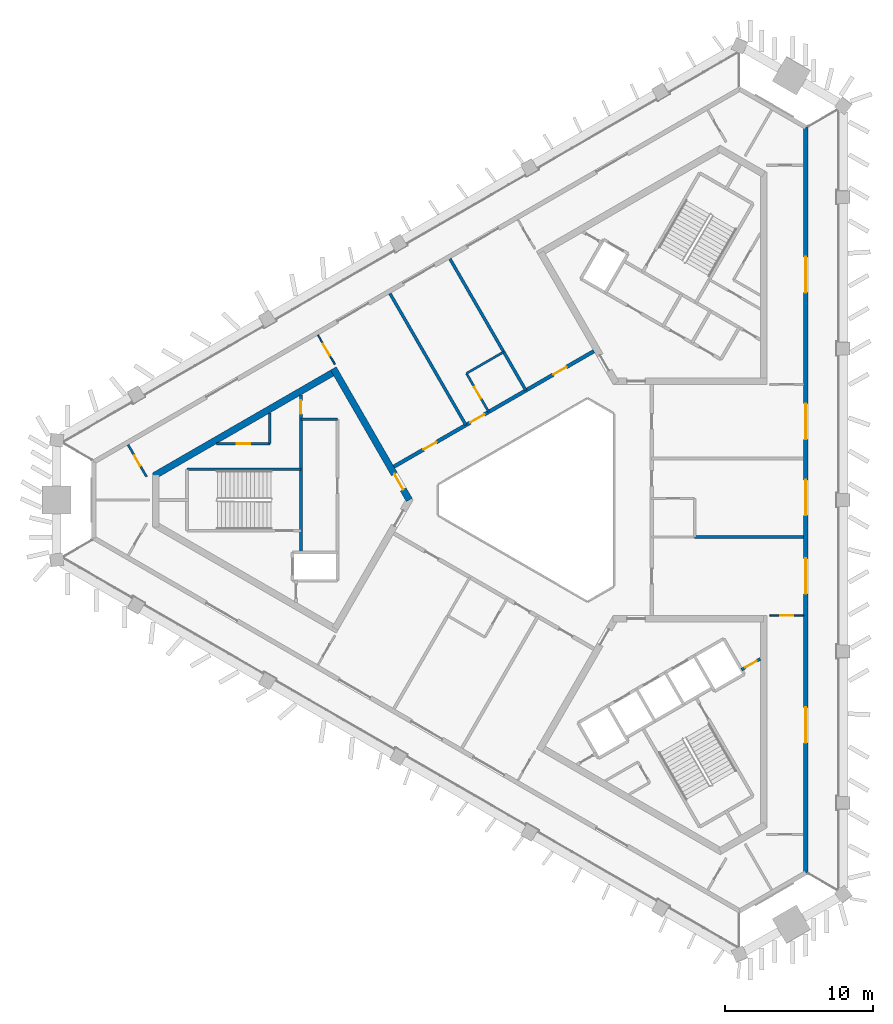
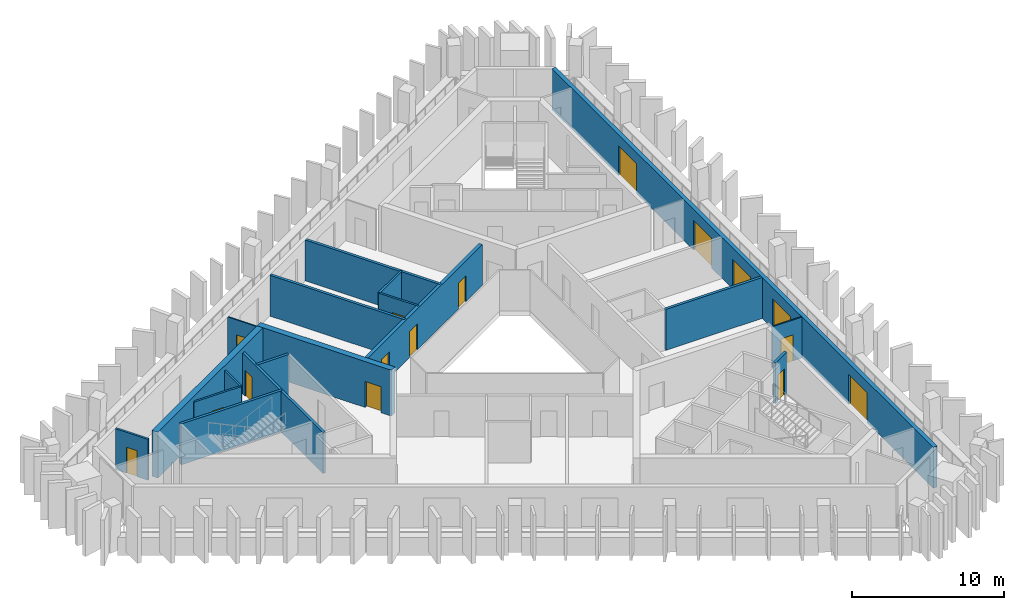
# One storey, part 4 of 9: 18 walls, 16 doors, 16 openings.
"""IFC4 building model written with IfcOpenShell, lengths in metres."""

from ifc_helpers import new_model, si_unit, direction, frame, frame_2d, origin, place, context, subcontext, project, spatial, rectangle, extrude, material, layer, layer_set, type_object, element, fill, save


model = new_model("IFC4")

# Units and contexts
model_context = context("Model", 3, precision=1e-05, world=origin(), true_north=direction((0.0, 1.0)))
body_context = subcontext(model_context, "Body", "Model", "MODEL_VIEW")
ifc_project = project(units=[si_unit("LENGTHUNIT", "METRE"), si_unit("AREAUNIT", "SQUARE_METRE"), si_unit("VOLUMEUNIT", "CUBIC_METRE"), si_unit("PLANEANGLEUNIT", "RADIAN"), si_unit("MASSUNIT", "GRAM", prefix="KILO")], contexts=[model_context])

# Site, building, storey
site_placement = place(None, origin())
site = spatial("IfcSite", under=ifc_project, at=site_placement, CompositionType="ELEMENT")
building_placement = place(site_placement, origin())
building = spatial("IfcBuilding", under=site, at=building_placement, Name="Jabali Bay Hotel Tower and Convention Centre", CompositionType="ELEMENT")
storey_placement = place(building_placement, frame((0.0, 0.0, 228.0)))
storey = spatial("IfcBuildingStorey", under=building, at=storey_placement, Name="L56", CompositionType="ELEMENT", Elevation=228.0)

# Wall, opening, door
ifc_material_1 = material(Name="Concrete C40", Category="concrete")
ifc_layer_1 = layer(ifc_material_1, 0.199951171875)
ifc_layer_set_1 = layer_set([ifc_layer_1], Name="Concrete C40")
wall_type_1 = type_object("IfcWallType", Name="Core partition wall 200", PredefinedType="PARTITIONING", material=ifc_layer_set_1)
wall_1_placement = place(storey_placement, frame((88.164794921875, 68.548095703125, 0.0), z_axis=(0.0, 0.0, 1.0), x_axis=(0.866013036001, 0.500021421018, 0.0)))
wall_1 = element("IfcWall", 1, at=wall_1_placement, inside=storey, type_object=wall_type_1, Name="Core wall 2.12 L56", PredefinedType="PARTITIONING", context=body_context, shape_type="SweptSolid", body=[
    extrude(rectangle(XDim=1.4609375, YDim=0.199951171875, at=frame_2d((0.73046875, 0.0))), origin(), (0.0, 0.0, 1.0), 3.300048828125),
])
opening_1_placement = place(wall_1_placement, frame((0.280517578125, 0.0, 0.0)))
opening_1 = element("IfcOpeningElement", 2, at=opening_1_placement, cuts=wall_1, Name="Opening D1229", PredefinedType="OPENING", context=body_context, shape_type="SweptSolid", body=[
    extrude(rectangle(XDim=0.89990234375, YDim=2.10009765625, at=frame_2d((0.449951171875, 1.050048828125))), frame((0.0, 0.1103515625, 0.0), z_axis=(0.0, -1.0, 0.0), x_axis=(1.0, 0.0, 0.0)), (0.0, 0.0, 1.0), 0.220947265625),
])
ifc_material_2 = material(Name="Fire-rated steel door", Category="steel")
door_type_1 = type_object("IfcDoorType", Name="Vestibule fire door 900 x 2100", OperationType="NOTDEFINED", PredefinedType="NOTDEFINED", material=ifc_material_2)
door_1_placement = place(opening_1_placement, origin())
door_1 = element("IfcDoor", 3, at=door_1_placement, inside=storey, type_object=door_type_1, Name="Vestibule fire door D1229", OperationType="SINGLE_SWING_LEFT", OverallHeight=2.10009765625, OverallWidth=0.89990234375, PredefinedType="NOTDEFINED", context=body_context, shape_type="SweptSolid", body=[
    extrude(rectangle(XDim=0.89990234375, YDim=2.10009765625, at=frame_2d((0.449951171875, 1.050048828125))), frame((0.0, 0.02490234375, 0.0), z_axis=(0.0, -1.0, 0.0), x_axis=(1.0, 0.0, 0.0)), (0.0, 0.0, 1.0), 0.050048828125),
])
fill(opening_1, door_1)

ifc_material_3 = material(Name="Fire-rated board partition")
ifc_layer_2 = layer(ifc_material_3, 0.14990234375)
ifc_layer_set_2 = layer_set([ifc_layer_2], Name="Fire-rated board partition")
wall_type_2 = type_object("IfcWallType", Name="Core room partition 150", PredefinedType="PARTITIONING", material=ifc_layer_set_2)
wall_2_placement = place(storey_placement, frame((56.320068359375, 83.800048828125, 0.0), z_axis=(0.0, 0.0, 1.0), x_axis=(-1.0, 0.0, 0.0)))
wall_2 = element("IfcWall", 4, at=wall_2_placement, inside=storey, type_object=wall_type_2, Name="Core wall 0.1 L56", PredefinedType="PARTITIONING", context=body_context, shape_type="SweptSolid", body=[
    extrude(rectangle(XDim=3.598388671875, YDim=0.14990234375, at=frame_2d((1.79931640625, 0.0))), origin(), (0.0, 0.0, 1.0), 3.300048828125),
])
opening_2_placement = place(wall_2_placement, frame((1.321533203125, 0.0, 0.0)))
opening_2 = element("IfcOpeningElement", 5, at=opening_2_placement, cuts=wall_2, Name="Opening D1216", PredefinedType="OPENING", context=body_context, shape_type="SweptSolid", body=[
    extrude(rectangle(XDim=0.89990234375, YDim=2.10009765625, at=frame_2d((0.449951171875, 1.050048828125))), frame((0.0, 0.08544921875, 0.0), z_axis=(0.0, -1.0, 0.0), x_axis=(1.0, 0.0, 0.0)), (0.0, 0.0, 1.0), 0.1708984375),
])
door_type_2 = type_object("IfcDoorType", Name="Core room door 900 x 2100", OperationType="NOTDEFINED", PredefinedType="NOTDEFINED", material=ifc_material_2)
door_2_placement = place(opening_2_placement, origin())
door_2 = element("IfcDoor", 6, at=door_2_placement, inside=storey, type_object=door_type_2, Name="Core room door D1216", OperationType="SINGLE_SWING_LEFT", OverallHeight=2.10009765625, OverallWidth=0.89990234375, PredefinedType="NOTDEFINED", context=body_context, shape_type="SweptSolid", body=[
    extrude(rectangle(XDim=0.89990234375, YDim=2.10009765625, at=frame_2d((0.449951171875, 1.050048828125))), frame((0.0, 0.02490234375, 0.0), z_axis=(0.0, -1.0, 0.0), x_axis=(1.0, 0.0, 0.0)), (0.0, 0.0, 1.0), 0.050048828125),
])
fill(opening_2, door_2)

# Walls
wall_3_placement = place(storey_placement, frame((56.320068359375, 85.87744140625, 0.0), z_axis=(0.0, 0.0, 1.0), x_axis=(0.0, -1.0, 0.0)))
element("IfcWall", 7, at=wall_3_placement, inside=storey, type_object=wall_type_2, Name="Core wall 0.11 L56", PredefinedType="PARTITIONING", context=body_context, shape_type="SweptSolid", body=[
    extrude(rectangle(XDim=2.077392578125, YDim=0.14990234375, at=frame_2d((1.03857421875, 0.0))), origin(), (0.0, 0.0, 1.0), 3.300048828125),
])
ifc_layer_3 = layer(ifc_material_1, 0.199951171875)
ifc_layer_set_3 = layer_set([ifc_layer_3], Name="Concrete C40")
wall_type_3 = type_object("IfcWallType", Name="Core stair wall 200", PredefinedType="SOLIDWALL", material=ifc_layer_set_3)
wall_4_placement = place(storey_placement, frame((60.89990234375, 85.449951171875, 0.0), z_axis=(0.0, 0.0, 1.0), x_axis=(-1.0, 0.0, 0.0)))
element("IfcWall", 8, at=wall_4_placement, inside=storey, type_object=wall_type_3, Name="Core wall 0.0 L56", PredefinedType="SOLIDWALL", context=body_context, shape_type="SweptSolid", body=[
    extrude(rectangle(XDim=2.47998046875, YDim=0.199951171875, at=frame_2d((1.239990234375, 0.0))), origin(), (0.0, 0.0, 1.0), 3.300048828125),
])
wall_5_placement = place(storey_placement, frame((58.419921875, 82.074951171875, 0.0), z_axis=(0.0, 0.0, 1.0), x_axis=(-1.0, 0.0, 0.0)))
element("IfcWall", 9, at=wall_5_placement, inside=storey, type_object=wall_type_3, Name="Core wall 0.2 L56", PredefinedType="SOLIDWALL", context=body_context, shape_type="SweptSolid", body=[
    extrude(rectangle(XDim=7.699951171875, YDim=0.199951171875, at=frame_2d((3.85009765625, 0.0))), origin(), (0.0, 0.0, 1.0), 3.300048828125),
])

# Wall, opening, door
wall_6_placement = place(storey_placement, frame((58.419921875, 87.08984375, 0.0), z_axis=(0.0, 0.0, 1.0), x_axis=(0.0, -1.0, 0.0)))
wall_6 = element("IfcWall", 10, at=wall_6_placement, inside=storey, type_object=wall_type_3, Name="Core wall 0.8 L56", PredefinedType="SOLIDWALL", context=body_context, shape_type="SweptSolid", body=[
    extrude(rectangle(XDim=10.639892578125, YDim=0.199951171875, at=frame_2d((5.31982421875, 0.0))), origin(), (0.0, 0.0, 1.0), 3.300048828125),
])
opening_3_placement = place(wall_6_placement, frame((0.369873046875, 0.0, 0.0)))
opening_3 = element("IfcOpeningElement", 11, at=opening_3_placement, cuts=wall_6, Name="Opening D1214", PredefinedType="OPENING", context=body_context, shape_type="SweptSolid", body=[
    extrude(rectangle(XDim=0.89990234375, YDim=2.10009765625, at=frame_2d((0.449951171875, 1.050048828125))), frame((0.0, 0.1103515625, 0.0), z_axis=(0.0, -1.0, 0.0), x_axis=(1.0, 0.0, 0.0)), (0.0, 0.0, 1.0), 0.220947265625),
])
door_3_placement = place(opening_3_placement, origin())
door_3 = element("IfcDoor", 12, at=door_3_placement, inside=storey, type_object=door_type_1, Name="Vestibule fire door D1214", OperationType="SINGLE_SWING_LEFT", OverallHeight=2.10009765625, OverallWidth=0.89990234375, PredefinedType="NOTDEFINED", context=body_context, shape_type="SweptSolid", body=[
    extrude(rectangle(XDim=0.89990234375, YDim=2.10009765625, at=frame_2d((0.449951171875, 1.050048828125))), frame((0.0, 0.02490234375, 0.0), z_axis=(0.0, -1.0, 0.0), x_axis=(1.0, 0.0, 0.0)), (0.0, 0.0, 1.0), 0.050048828125),
])
fill(opening_3, door_3)

ifc_material_4 = material(Name="Concrete C60", Category="concrete")
ifc_layer_4 = layer(ifc_material_4, 0.449951171875)
ifc_layer_set_4 = layer_set([ifc_layer_4], Name="Concrete C60")
wall_type_4 = type_object("IfcWallType", Name="Core wall 450", PredefinedType="SHEAR", material=ifc_layer_set_4)
wall_7_placement = place(storey_placement, frame((65.740234375, 80.0, 0.0), z_axis=(0.0, 0.0, 1.0), x_axis=(-0.499991857942, 0.866030104553, 0.0)))
wall_7 = element("IfcWall", 13, at=wall_7_placement, inside=storey, type_object=wall_type_4, Name="Core wall 1.1 L56", PredefinedType="SHEAR", context=body_context, shape_type="SweptSolid", body=[
    extrude(rectangle(XDim=10.250244140625, YDim=0.449951171875, at=frame_2d((5.125, 0.0))), origin(), (0.0, 0.0, 1.0), 3.699951171875),
])
opening_4_placement = place(wall_7_placement, frame((0.820068359375, 0.0, 0.0)))
opening_4 = element("IfcOpeningElement", 14, at=opening_4_placement, cuts=wall_7, Name="Opening D1210", PredefinedType="OPENING", context=body_context, shape_type="SweptSolid", body=[
    extrude(rectangle(XDim=1.199951171875, YDim=2.10009765625, at=frame_2d((0.60009765625, 1.050048828125))), frame((0.0, 0.2353515625, 0.0), z_axis=(0.0, -1.0, 0.0), x_axis=(1.0, 0.0, 0.0)), (0.0, 0.0, 1.0), 0.470947265625),
])
door_type_3 = type_object("IfcDoorType", Name="Corridor end fire door 1200 x 2100", OperationType="NOTDEFINED", PredefinedType="NOTDEFINED", material=ifc_material_2)
door_4_placement = place(opening_4_placement, origin())
door_4 = element("IfcDoor", 15, at=door_4_placement, inside=storey, type_object=door_type_3, Name="Corridor end fire door D1210", OperationType="SINGLE_SWING_RIGHT", OverallHeight=2.10009765625, OverallWidth=1.199951171875, PredefinedType="NOTDEFINED", context=body_context, shape_type="SweptSolid", body=[
    extrude(rectangle(XDim=1.199951171875, YDim=2.10009765625, at=frame_2d((0.60009765625, 1.050048828125))), frame((0.0, 0.02490234375, 0.0), z_axis=(0.0, -1.0, 0.0), x_axis=(1.0, 0.0, 0.0)), (0.0, 0.0, 1.0), 0.050048828125),
])
fill(opening_4, door_4)

# Wall
wall_8_placement = place(storey_placement, frame((60.7275390625, 88.681884765625, 0.0), z_axis=(0.0, 0.0, 1.0), x_axis=(-0.866021613849, -0.500006564303, 0.0)))
element("IfcWall", 16, at=wall_8_placement, inside=storey, type_object=wall_type_4, Name="Core wall 1.2 L56", PredefinedType="SHEAR", context=body_context, shape_type="SweptSolid", body=[
    extrude(rectangle(XDim=14.108154296875, YDim=0.449951171875, at=frame_2d((7.05419921875, 0.0))), origin(), (0.0, 0.0, 1.0), 3.699951171875),
])

# Wall, openings, doors
ifc_layer_5 = layer(ifc_material_4, 0.25)
ifc_layer_set_5 = layer_set([ifc_layer_5], Name="Concrete C60")
wall_type_5 = type_object("IfcWallType", Name="Corridor wall 250", PredefinedType="SHEAR", material=ifc_layer_set_5)
wall_9_placement = place(storey_placement, frame((78.199951171875, 90.0458984375, 0.0), z_axis=(0.0, 0.0, 1.0), x_axis=(-0.866026492143, -0.499998114903, 0.0)))
wall_9 = element("IfcWall", 17, at=wall_9_placement, inside=storey, type_object=wall_type_5, Name="Corridor wall 2 L56", PredefinedType="SHEAR", context=body_context, shape_type="SweptSolid", body=[
    extrude(rectangle(XDim=15.58837890625, YDim=0.25, at=frame_2d((7.794189453125, 0.0))), origin(), (0.0, 0.0, 1.0), 3.300048828125),
])
opening_5_placement = place(wall_9_placement, frame((2.14990234375, 0.0, 0.0)))
opening_5 = element("IfcOpeningElement", 18, at=opening_5_placement, cuts=wall_9, Name="Opening 5609", PredefinedType="OPENING", context=body_context, shape_type="SweptSolid", body=[
    extrude(rectangle(XDim=1.0, YDim=2.10009765625, at=frame_2d((0.5, 1.050048828125))), frame((0.0, 0.135498046875, 0.0), z_axis=(0.0, -1.0, 0.0), x_axis=(1.0, 0.0, 0.0)), (0.0, 0.0, 1.0), 0.27099609375),
])
opening_6_placement = place(wall_9_placement, frame((8.538330078125, 0.0, 0.0)))
opening_6 = element("IfcOpeningElement", 19, at=opening_6_placement, cuts=wall_9, Name="Opening 5613", PredefinedType="OPENING", context=body_context, shape_type="SweptSolid", body=[
    extrude(rectangle(XDim=1.10009765625, YDim=2.10009765625, at=frame_2d((0.550048828125, 1.050048828125))), frame((0.0, 0.135498046875, 0.0), z_axis=(0.0, -1.0, 0.0), x_axis=(1.0, 0.0, 0.0)), (0.0, 0.0, 1.0), 0.27099609375),
])
opening_7_placement = place(wall_9_placement, frame((12.282470703125, 0.0, 0.0)))
opening_7 = element("IfcOpeningElement", 20, at=opening_7_placement, cuts=wall_9, Name="Opening 5614", PredefinedType="OPENING", context=body_context, shape_type="SweptSolid", body=[
    extrude(rectangle(XDim=1.0, YDim=2.10009765625, at=frame_2d((0.5, 1.050048828125))), frame((0.0, 0.135498046875, 0.0), z_axis=(0.0, -1.0, 0.0), x_axis=(1.0, 0.0, 0.0)), (0.0, 0.0, 1.0), 0.27099609375),
])
ifc_material_5 = material(Name="Timber", Category="wood")
door_type_4 = type_object("IfcDoorType", Name="Accessible guest room door 1100 x 2100", OperationType="NOTDEFINED", PredefinedType="NOTDEFINED", material=ifc_material_5)
door_5_placement = place(opening_6_placement, origin())
door_5 = element("IfcDoor", 21, at=door_5_placement, inside=storey, type_object=door_type_4, Name="Door 5613", OperationType="SINGLE_SWING_RIGHT", OverallHeight=2.10009765625, OverallWidth=1.10009765625, PredefinedType="NOTDEFINED", context=body_context, shape_type="SweptSolid", body=[
    extrude(rectangle(XDim=1.10009765625, YDim=2.10009765625, at=frame_2d((0.550048828125, 1.050048828125))), frame((0.0, 0.02490234375, 0.0), z_axis=(0.0, -1.0, 0.0), x_axis=(1.0, 0.0, 0.0)), (0.0, 0.0, 1.0), 0.050048828125),
])
fill(opening_6, door_5)
door_type_5 = type_object("IfcDoorType", Name="Guest room door 1000 x 2100", OperationType="NOTDEFINED", PredefinedType="NOTDEFINED", material=ifc_material_5)
door_6_placement = place(opening_5_placement, origin())
door_6 = element("IfcDoor", 22, at=door_6_placement, inside=storey, type_object=door_type_5, Name="Door 5609", OperationType="SINGLE_SWING_LEFT", OverallHeight=2.10009765625, OverallWidth=1.0, PredefinedType="NOTDEFINED", context=body_context, shape_type="SweptSolid", body=[
    extrude(rectangle(XDim=1.0, YDim=2.10009765625, at=frame_2d((0.5, 1.050048828125))), frame((0.0, 0.02490234375, 0.0), z_axis=(0.0, -1.0, 0.0), x_axis=(1.0, 0.0, 0.0)), (0.0, 0.0, 1.0), 0.050048828125),
])
fill(opening_5, door_6)
door_7_placement = place(opening_7_placement, origin())
door_7 = element("IfcDoor", 23, at=door_7_placement, inside=storey, type_object=door_type_5, Name="Door 5614", OperationType="SINGLE_SWING_RIGHT", OverallHeight=2.10009765625, OverallWidth=1.0, PredefinedType="NOTDEFINED", context=body_context, shape_type="SweptSolid", body=[
    extrude(rectangle(XDim=1.0, YDim=2.10009765625, at=frame_2d((0.5, 1.050048828125))), frame((0.0, 0.02490234375, 0.0), z_axis=(0.0, -1.0, 0.0), x_axis=(1.0, 0.0, 0.0)), (0.0, 0.0, 1.0), 0.050048828125),
])
fill(opening_7, door_7)

ifc_layer_6 = layer(ifc_material_1, 0.300048828125)
ifc_layer_set_6 = layer_set([ifc_layer_6], Name="Concrete C40")
wall_type_6 = type_object("IfcWallType", Name="External wall 300", PredefinedType="SOLIDWALL", material=ifc_layer_set_6)
wall_10_placement = place(storey_placement, frame((92.502685546875, 105.166259765625, 0.0), z_axis=(0.0, 0.0, 1.0), x_axis=(0.0, -1.0, 0.0)))
wall_10 = element("IfcWall", 24, at=wall_10_placement, inside=storey, type_object=wall_type_6, Name="External wall east face L56", PredefinedType="SOLIDWALL", context=body_context, shape_type="SweptSolid", body=[
    extrude(rectangle(XDim=50.33251953125, YDim=0.300048828125, at=frame_2d((25.166259765625, 0.0))), origin(), (0.0, 0.0, 1.0), 3.300048828125),
])
opening_8_placement = place(wall_10_placement, frame((29.110595703125, 0.0, 0.0)))
opening_8 = element("IfcOpeningElement", 25, at=opening_8_placement, cuts=wall_10, Name="Opening SD1", PredefinedType="OPENING", context=body_context, shape_type="SweptSolid", body=[
    extrude(rectangle(XDim=2.39990234375, YDim=2.39990234375, at=frame_2d((1.199951171875, 1.199951171875))), frame((0.0, 0.16064453125, 0.0), z_axis=(0.0, -1.0, 0.0), x_axis=(1.0, 0.0, 0.0)), (0.0, 0.0, 1.0), 0.321044921875),
])
opening_9_placement = place(wall_10_placement, frame((39.1640625, 0.0, 0.0)))
opening_9 = element("IfcOpeningElement", 26, at=opening_9_placement, cuts=wall_10, Name="Opening SD1", PredefinedType="OPENING", context=body_context, shape_type="SweptSolid", body=[
    extrude(rectangle(XDim=2.39990234375, YDim=2.39990234375, at=frame_2d((1.199951171875, 1.199951171875))), frame((0.0, 0.16064453125, 0.0), z_axis=(0.0, -1.0, 0.0), x_axis=(1.0, 0.0, 0.0)), (0.0, 0.0, 1.0), 0.321044921875),
])
opening_10_placement = place(wall_10_placement, frame((18.666259765625, 0.0, 0.0)))
opening_10 = element("IfcOpeningElement", 27, at=opening_10_placement, cuts=wall_10, Name="Opening SD1", PredefinedType="OPENING", context=body_context, shape_type="SweptSolid", body=[
    extrude(rectangle(XDim=2.39990234375, YDim=2.39990234375, at=frame_2d((1.199951171875, 1.199951171875))), frame((0.0, 0.16064453125, 0.0), z_axis=(0.0, -1.0, 0.0), x_axis=(1.0, 0.0, 0.0)), (0.0, 0.0, 1.0), 0.321044921875),
])
opening_11_placement = place(wall_10_placement, frame((8.76318359375, 0.0, 0.0)))
opening_11 = element("IfcOpeningElement", 28, at=opening_11_placement, cuts=wall_10, Name="Opening SD1", PredefinedType="OPENING", context=body_context, shape_type="SweptSolid", body=[
    extrude(rectangle(XDim=2.39990234375, YDim=2.39990234375, at=frame_2d((1.199951171875, 1.199951171875))), frame((0.0, 0.16064453125, 0.0), z_axis=(0.0, -1.0, 0.0), x_axis=(1.0, 0.0, 0.0)), (0.0, 0.0, 1.0), 0.321044921875),
])
opening_12_placement = place(wall_10_placement, frame((23.810546875, 0.0, 0.0)))
opening_12 = element("IfcOpeningElement", 29, at=opening_12_placement, cuts=wall_10, Name="Opening SD1", PredefinedType="OPENING", context=body_context, shape_type="SweptSolid", body=[
    extrude(rectangle(XDim=2.39990234375, YDim=2.39990234375, at=frame_2d((1.199951171875, 1.199951171875))), frame((0.0, 0.16064453125, 0.0), z_axis=(0.0, -1.0, 0.0), x_axis=(1.0, 0.0, 0.0)), (0.0, 0.0, 1.0), 0.321044921875),
])
ifc_material_6 = material(Name="Glass", Category="glass")
door_type_6 = type_object("IfcDoorType", Name="Loggia sliding door 2400 x 2400", OperationType="NOTDEFINED", PredefinedType="NOTDEFINED", material=ifc_material_6)
door_8_placement = place(opening_8_placement, origin())
door_8 = element("IfcDoor", 30, at=door_8_placement, inside=storey, type_object=door_type_6, Name="Loggia sliding door 5601", OperationType="SLIDING_TO_LEFT", OverallHeight=2.39990234375, OverallWidth=2.39990234375, PredefinedType="NOTDEFINED", context=body_context, shape_type="SweptSolid", body=[
    extrude(rectangle(XDim=2.39990234375, YDim=2.39990234375, at=frame_2d((1.199951171875, 1.199951171875))), frame((0.0, 0.02490234375, 0.0), z_axis=(0.0, -1.0, 0.0), x_axis=(1.0, 0.0, 0.0)), (0.0, 0.0, 1.0), 0.050048828125),
])
fill(opening_8, door_8)
door_9_placement = place(opening_9_placement, origin())
door_9 = element("IfcDoor", 31, at=door_9_placement, inside=storey, type_object=door_type_6, Name="Loggia sliding door 5601", OperationType="SLIDING_TO_RIGHT", OverallHeight=2.39990234375, OverallWidth=2.39990234375, PredefinedType="NOTDEFINED", context=body_context, shape_type="SweptSolid", body=[
    extrude(rectangle(XDim=2.39990234375, YDim=2.39990234375, at=frame_2d((1.199951171875, 1.199951171875))), frame((0.0, 0.02490234375, 0.0), z_axis=(0.0, -1.0, 0.0), x_axis=(1.0, 0.0, 0.0)), (0.0, 0.0, 1.0), 0.050048828125),
])
fill(opening_9, door_9)
door_10_placement = place(opening_10_placement, origin())
door_10 = element("IfcDoor", 32, at=door_10_placement, inside=storey, type_object=door_type_6, Name="Loggia sliding door 5603", OperationType="SLIDING_TO_LEFT", OverallHeight=2.39990234375, OverallWidth=2.39990234375, PredefinedType="NOTDEFINED", context=body_context, shape_type="SweptSolid", body=[
    extrude(rectangle(XDim=2.39990234375, YDim=2.39990234375, at=frame_2d((1.199951171875, 1.199951171875))), frame((0.0, 0.02490234375, 0.0), z_axis=(0.0, -1.0, 0.0), x_axis=(1.0, 0.0, 0.0)), (0.0, 0.0, 1.0), 0.050048828125),
])
fill(opening_10, door_10)
door_11_placement = place(opening_11_placement, origin())
door_11 = element("IfcDoor", 33, at=door_11_placement, inside=storey, type_object=door_type_6, Name="Loggia sliding door 5603", OperationType="SLIDING_TO_RIGHT", OverallHeight=2.39990234375, OverallWidth=2.39990234375, PredefinedType="NOTDEFINED", context=body_context, shape_type="SweptSolid", body=[
    extrude(rectangle(XDim=2.39990234375, YDim=2.39990234375, at=frame_2d((1.199951171875, 1.199951171875))), frame((0.0, 0.02490234375, 0.0), z_axis=(0.0, -1.0, 0.0), x_axis=(1.0, 0.0, 0.0)), (0.0, 0.0, 1.0), 0.050048828125),
])
fill(opening_11, door_11)
door_12_placement = place(opening_12_placement, origin())
door_12 = element("IfcDoor", 34, at=door_12_placement, inside=storey, type_object=door_type_6, Name="Loggia sliding door 5602", OperationType="SLIDING_TO_LEFT", OverallHeight=2.39990234375, OverallWidth=2.39990234375, PredefinedType="NOTDEFINED", context=body_context, shape_type="SweptSolid", body=[
    extrude(rectangle(XDim=2.39990234375, YDim=2.39990234375, at=frame_2d((1.199951171875, 1.199951171875))), frame((0.0, 0.02490234375, 0.0), z_axis=(0.0, -1.0, 0.0), x_axis=(1.0, 0.0, 0.0)), (0.0, 0.0, 1.0), 0.050048828125),
])
fill(opening_12, door_12)

# Wall, opening, door
ifc_material_7 = material(Name="Plasterboard on steel stud", Category="steel")
ifc_layer_7 = layer(ifc_material_7, 0.10009765625)
ifc_layer_set_7 = layer_set([ifc_layer_7], Name="Plasterboard on steel stud")
wall_type_7 = type_object("IfcWallType", Name="Partition 100 unit", PredefinedType="PARTITIONING", material=ifc_layer_set_7)
wall_11_placement = place(storey_placement, frame((90.0791015625, 72.205810546875, 0.0), z_axis=(0.0, 0.0, 1.0), x_axis=(1.0, 0.0, 0.0)))
wall_11 = element("IfcWall", 35, at=wall_11_placement, inside=storey, type_object=wall_type_7, Name="Partition P02 L56 001", PredefinedType="PARTITIONING", context=body_context, shape_type="SweptSolid", body=[
    extrude(rectangle(XDim=2.2744140625, YDim=0.10009765625, at=frame_2d((1.13720703125, 0.0))), origin(), (0.0, 0.0, 1.0), 3.300048828125),
])
opening_13_placement = place(wall_11_placement, frame((0.68701171875, 0.0, 0.0)))
opening_13 = element("IfcOpeningElement", 36, at=opening_13_placement, cuts=wall_11, Name="Opening 5602", PredefinedType="OPENING", context=body_context, shape_type="SweptSolid", body=[
    extrude(rectangle(XDim=0.89990234375, YDim=2.10009765625, at=frame_2d((0.449951171875, 1.050048828125))), frame((0.0, 0.060546875, 0.0), z_axis=(0.0, -1.0, 0.0), x_axis=(1.0, 0.0, 0.0)), (0.0, 0.0, 1.0), 0.12109375),
])
door_type_7 = type_object("IfcDoorType", Name="Internal door 900 x 2100", OperationType="NOTDEFINED", PredefinedType="NOTDEFINED", material=ifc_material_5)
door_13_placement = place(opening_13_placement, origin())
door_13 = element("IfcDoor", 37, at=door_13_placement, inside=storey, type_object=door_type_7, Name="Door 5602", OperationType="SINGLE_SWING_LEFT", OverallHeight=2.10009765625, OverallWidth=0.89990234375, PredefinedType="NOTDEFINED", context=body_context, shape_type="SweptSolid", body=[
    extrude(rectangle(XDim=0.89990234375, YDim=2.10009765625, at=frame_2d((0.449951171875, 1.050048828125))), frame((0.0, 0.02490234375, 0.0), z_axis=(0.0, -1.0, 0.0), x_axis=(1.0, 0.0, 0.0)), (0.0, 0.0, 1.0), 0.050048828125),
])
fill(opening_13, door_13)

wall_12_placement = place(storey_placement, frame((59.5732421875, 91.131591796875, 0.0), z_axis=(0.0, 0.0, 1.0), x_axis=(0.499948534732, -0.866055115232, 0.0)))
wall_12 = element("IfcWall", 38, at=wall_12_placement, inside=storey, type_object=wall_type_7, Name="Partition P02 L56 018", PredefinedType="PARTITIONING", context=body_context, shape_type="SweptSolid", body=[
    extrude(rectangle(XDim=2.274658203125, YDim=0.10009765625, at=frame_2d((1.13720703125, 0.0))), origin(), (0.0, 0.0, 1.0), 3.300048828125),
])
opening_14_placement = place(wall_12_placement, frame((0.68701171875, 0.0, 0.0)))
opening_14 = element("IfcOpeningElement", 39, at=opening_14_placement, cuts=wall_12, Name="Opening 5615", PredefinedType="OPENING", context=body_context, shape_type="SweptSolid", body=[
    extrude(rectangle(XDim=0.89990234375, YDim=2.10009765625, at=frame_2d((0.449951171875, 1.050048828125))), frame((0.0, 0.060546875, 0.0), z_axis=(0.0, -1.0, 0.0), x_axis=(1.0, 0.0, 0.0)), (0.0, 0.0, 1.0), 0.12109375),
])
door_14_placement = place(opening_14_placement, origin())
door_14 = element("IfcDoor", 40, at=door_14_placement, inside=storey, type_object=door_type_7, Name="Door 5615", OperationType="SINGLE_SWING_LEFT", OverallHeight=2.10009765625, OverallWidth=0.89990234375, PredefinedType="NOTDEFINED", context=body_context, shape_type="SweptSolid", body=[
    extrude(rectangle(XDim=0.89990234375, YDim=2.10009765625, at=frame_2d((0.449951171875, 1.050048828125))), frame((0.0, 0.02490234375, 0.0), z_axis=(0.0, -1.0, 0.0), x_axis=(1.0, 0.0, 0.0)), (0.0, 0.0, 1.0), 0.050048828125),
])
fill(opening_14, door_14)

ifc_layer_8 = layer(ifc_material_7, 0.14990234375)
ifc_layer_set_8 = layer_set([ifc_layer_8], Name="Plasterboard on steel stud")
wall_type_8 = type_object("IfcWallType", Name="Partition 150 wet", PredefinedType="PARTITIONING", material=ifc_layer_set_8)
wall_13_placement = place(storey_placement, frame((71.0986328125, 85.94580078125, 0.0), z_axis=(0.0, 0.0, 1.0), x_axis=(-0.499990139034, 0.866031096941, 0.0)))
wall_13 = element("IfcWall", 41, at=wall_13_placement, inside=storey, type_object=wall_type_8, Name="Partition P03 L56 015", PredefinedType="PARTITIONING", context=body_context, shape_type="SweptSolid", body=[
    extrude(rectangle(XDim=3.0, YDim=0.14990234375, at=frame_2d((1.5, 0.0))), origin(), (0.0, 0.0, 1.0), 3.300048828125),
])
opening_15_placement = place(wall_13_placement, frame((1.050048828125, 0.0, 0.0)))
opening_15 = element("IfcOpeningElement", 42, at=opening_15_placement, cuts=wall_13, Name="Opening 5612", PredefinedType="OPENING", context=body_context, shape_type="SweptSolid", body=[
    extrude(rectangle(XDim=0.89990234375, YDim=2.10009765625, at=frame_2d((0.449951171875, 1.050048828125))), frame((0.0, 0.08544921875, 0.0), z_axis=(0.0, -1.0, 0.0), x_axis=(1.0, 0.0, 0.0)), (0.0, 0.0, 1.0), 0.1708984375),
])
door_type_8 = type_object("IfcDoorType", Name="Accessible en-suite door 900 x 2100", OperationType="NOTDEFINED", PredefinedType="NOTDEFINED", material=ifc_material_5)
door_15_placement = place(opening_15_placement, origin())
door_15 = element("IfcDoor", 43, at=door_15_placement, inside=storey, type_object=door_type_8, Name="Door 5612", OperationType="SINGLE_SWING_RIGHT", OverallHeight=2.10009765625, OverallWidth=0.89990234375, PredefinedType="NOTDEFINED", context=body_context, shape_type="SweptSolid", body=[
    extrude(rectangle(XDim=0.89990234375, YDim=2.10009765625, at=frame_2d((0.449951171875, 1.050048828125))), frame((0.0, 0.02490234375, 0.0), z_axis=(0.0, -1.0, 0.0), x_axis=(1.0, 0.0, 0.0)), (0.0, 0.0, 1.0), 0.050048828125),
])
fill(opening_15, door_15)

# Wall
wall_14_placement = place(storey_placement, frame((69.5986328125, 88.5439453125, 0.0), z_axis=(0.0, 0.0, 1.0), x_axis=(0.866032775405, 0.499987231761, 0.0)))
element("IfcWall", 44, at=wall_14_placement, inside=storey, type_object=wall_type_8, Name="Partition P03 L56 016", PredefinedType="PARTITIONING", context=body_context, shape_type="SweptSolid", body=[
    extrude(rectangle(XDim=2.89990234375, YDim=0.14990234375, at=frame_2d((1.449951171875, 0.0))), origin(), (0.0, 0.0, 1.0), 3.300048828125),
])

# Wall, opening, door
wall_15_placement = place(storey_placement, frame((46.756103515625, 83.7314453125, 0.0), z_axis=(0.0, 0.0, 1.0), x_axis=(0.500047477074, -0.865997991148, 0.0)))
wall_15 = element("IfcWall", 45, at=wall_15_placement, inside=storey, type_object=wall_type_8, Name="Partition P03 L56 019", PredefinedType="PARTITIONING", context=body_context, shape_type="SweptSolid", body=[
    extrude(rectangle(XDim=2.492431640625, YDim=0.14990234375, at=frame_2d((1.24609375, 0.0))), origin(), (0.0, 0.0, 1.0), 3.300048828125),
])
opening_16_placement = place(wall_15_placement, frame((0.845947265625, 0.0, 0.0)))
opening_16 = element("IfcOpeningElement", 46, at=opening_16_placement, cuts=wall_15, Name="Opening 5616", PredefinedType="OPENING", context=body_context, shape_type="SweptSolid", body=[
    extrude(rectangle(XDim=0.800048828125, YDim=2.10009765625, at=frame_2d((0.39990234375, 1.050048828125))), frame((0.0, 0.08544921875, 0.0), z_axis=(0.0, -1.0, 0.0), x_axis=(1.0, 0.0, 0.0)), (0.0, 0.0, 1.0), 0.1708984375),
])
door_type_9 = type_object("IfcDoorType", Name="En-suite door 800 x 2100", OperationType="NOTDEFINED", PredefinedType="NOTDEFINED", material=ifc_material_5)
door_16_placement = place(opening_16_placement, origin())
door_16 = element("IfcDoor", 47, at=door_16_placement, inside=storey, type_object=door_type_9, Name="Door 5616", OperationType="SINGLE_SWING_RIGHT", OverallHeight=2.10009765625, OverallWidth=0.800048828125, PredefinedType="NOTDEFINED", context=body_context, shape_type="SweptSolid", body=[
    extrude(rectangle(XDim=0.800048828125, YDim=2.10009765625, at=frame_2d((0.39990234375, 1.050048828125))), frame((0.0, 0.02490234375, 0.0), z_axis=(0.0, -1.0, 0.0), x_axis=(1.0, 0.0, 0.0)), (0.0, 0.0, 1.0), 0.050048828125),
])
fill(opening_16, door_16)

# Walls
ifc_layer_9 = layer(ifc_material_7, 0.199951171875)
ifc_layer_set_9 = layer_set([ifc_layer_9], Name="Plasterboard on steel stud")
wall_type_9 = type_object("IfcWallType", Name="Partition 200 party", PredefinedType="PARTITIONING", material=ifc_layer_set_9)
wall_16_placement = place(storey_placement, frame((92.353515625, 77.505859375, 0.0), z_axis=(0.0, 0.0, 1.0), x_axis=(-1.0, 0.0, 0.0)))
element("IfcWall", 48, at=wall_16_placement, inside=storey, type_object=wall_type_9, Name="Partition P01 L56 002", PredefinedType="PARTITIONING", context=body_context, shape_type="SweptSolid", body=[
    extrude(rectangle(XDim=7.353515625, YDim=0.199951171875, at=frame_2d((3.6767578125, 0.0))), origin(), (0.0, 0.0, 1.0), 3.300048828125),
])
for number, where, z_axis, x_axis, name in (
    (49, (68.483154296875, 96.275634765625, 0.0), (0.0, 0.0, 1.0), (0.500011000363, -0.866019052629, 0.0), "Partition P01 L56 013"),
    (50, (64.43310546875, 93.9375, 0.0), (0.0, 0.0, 1.0), (0.500011000363, -0.866019052629, 0.0), "Partition P01 L56 017"),
):
    element("IfcWall", number, at=place(storey_placement, frame(where, z_axis=z_axis, x_axis=x_axis)), inside=storey, type_object=wall_type_9, Name=name, PredefinedType="PARTITIONING", context=body_context, shape_type="SweptSolid", body=[
        extrude(rectangle(XDim=10.253662109375, YDim=0.199951171875, at=frame_2d((5.126953125, 0.0))), origin(), (0.0, 0.0, 1.0), 3.300048828125),
    ])

save(model, "model.ifc")
